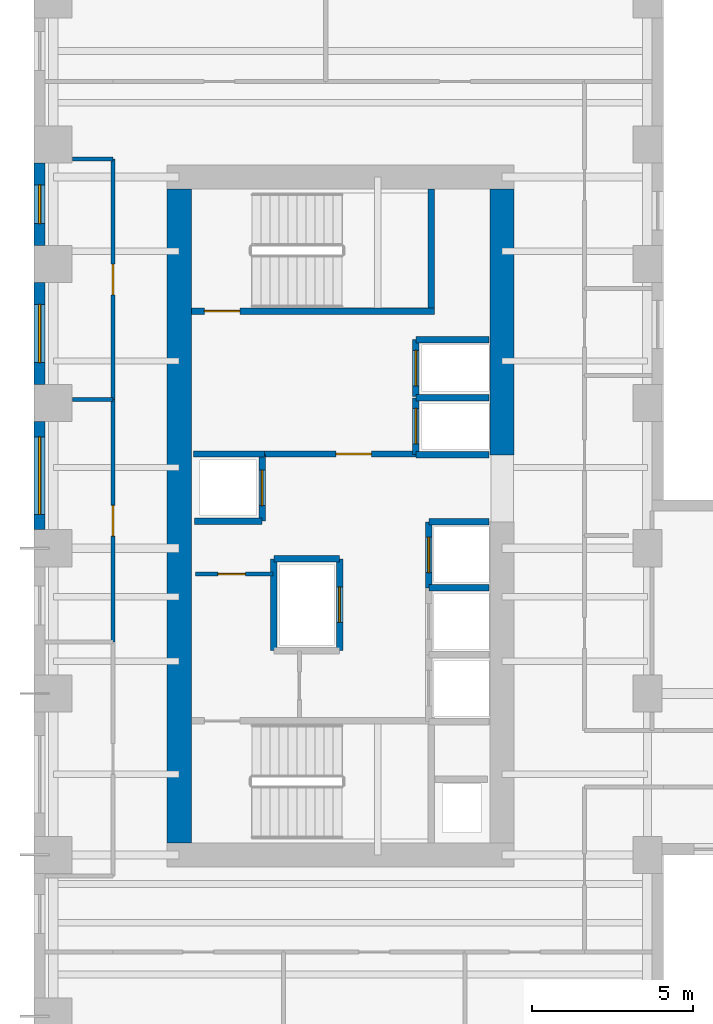
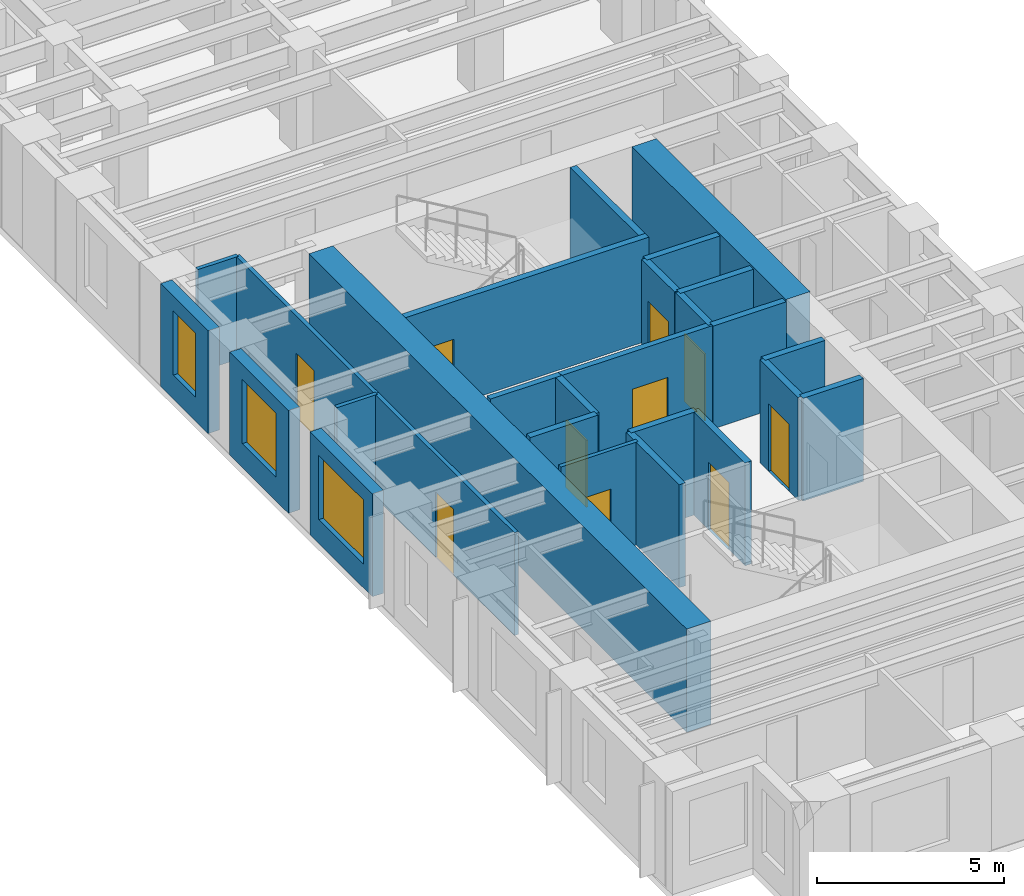
# One storey, part 5 of 12: 27 walls, 10 doors, 3 windows, 13 openings.
"""IFC4 building model written with IfcOpenShell, lengths in metres."""

from ifc_helpers import new_model, si_unit, direction, frame, frame_2d, origin, place, context, subcontext, project, spatial, rectangle, extrude, source, transform, mapped, material, layer, layer_set, type_object, element, fill, save


model = new_model("IFC4")

# Units and contexts
model_context = context("Model", 3, precision=1e-05, world=origin(), true_north=direction((0.0, 1.0)))
body_context = subcontext(model_context, "Body", "Model", "MODEL_VIEW")
ifc_project = project(units=[si_unit("LENGTHUNIT", "METRE"), si_unit("AREAUNIT", "SQUARE_METRE"), si_unit("VOLUMEUNIT", "CUBIC_METRE"), si_unit("PLANEANGLEUNIT", "RADIAN"), si_unit("MASSUNIT", "GRAM", prefix="KILO")], contexts=[model_context])

# Site, building, storey
site_placement = place(None, origin())
site = spatial("IfcSite", under=ifc_project, at=site_placement, CompositionType="ELEMENT")
building_placement = place(site_placement, origin())
building = spatial("IfcBuilding", under=site, at=building_placement, Name="Kharzan Plaza Tower", CompositionType="ELEMENT")
storey_placement = place(building_placement, frame((0.0, 0.0, 106.199951171875)))
storey = spatial("IfcBuildingStorey", under=building, at=storey_placement, Name="L28", CompositionType="ELEMENT", Elevation=106.199951171875)

# Wall, opening, window
ifc_material_1 = material(Name="Concrete C40/50", Category="concrete")
ifc_layer_1 = layer(ifc_material_1, 0.35009765625)
ifc_layer_set_1 = layer_set([ifc_layer_1], Name="Concrete C40/50")
wall_type_1 = type_object("IfcWallType", Name="WL-EXT-MAS-Z2", PredefinedType="SOLIDWALL", material=ifc_layer_set_1)
wall_1_placement = place(storey_placement, frame((0.175048828125, 29.927001953125, 0.0), z_axis=(0.0, 0.0, 1.0), x_axis=(0.0, -1.0, 0.0)))
wall_1 = element("IfcWall", 1, at=wall_1_placement, inside=storey, type_object=wall_type_1, Name="L28 Masonry-Frame Exterior Wall 20", PredefinedType="SOLIDWALL", context=body_context, shape_type="SweptSolid", body=[
    extrude(rectangle(XDim=2.553955078125, YDim=0.35009765625, at=frame_2d((1.27685546875, 0.0))), origin(), (0.0, 0.0, 1.0), 3.364990234375),
])
opening_1_placement = place(wall_1_placement, frame((0.677001953125, 0.0, 0.780029296875)))
opening_1 = element("IfcOpeningElement", 2, at=opening_1_placement, cuts=wall_1, Name="Opening W3", PredefinedType="OPENING", context=body_context, shape_type="SweptSolid", body=[
    extrude(rectangle(XDim=1.199951171875, YDim=2.10009765625, at=frame_2d((0.60009765625, 1.050048828125))), frame((0.0, 0.18505859375, 0.0), z_axis=(0.0, -1.0, 0.0), x_axis=(1.0, 0.0, 0.0)), (0.0, 0.0, 1.0), 0.3701171875),
])
ifc_material_2 = material(Name="Low-E Double Glazing", Category="glass")
window_type_1 = type_object("IfcWindowType", Name="WN-REC-1200x2100", PartitioningType="SINGLE_PANEL", PredefinedType="WINDOW", material=ifc_material_2)
shared_shape_1 = source(origin(), body_context, "Body", "SweptSolid", [
    extrude(rectangle(XDim=1.199951171875, YDim=2.10009765625, at=frame_2d((0.60009765625, 1.050048828125))), frame((0.0, 0.030029296875, 0.0), z_axis=(0.0, -1.0, 0.0), x_axis=(1.0, 0.0, 0.0)), (0.0, 0.0, 1.0), 0.06005859375),
])
window_1_placement = place(opening_1_placement, origin())
window_1 = element("IfcWindow", 3, at=window_1_placement, inside=storey, type_object=window_type_1, Name="L28 Recessed Solar-Control Window 20-1", OverallHeight=2.10009765625, OverallWidth=1.199951171875, PartitioningType="SINGLE_PANEL", PredefinedType="WINDOW", context=body_context, shape_type="MappedRepresentation", body=[
    mapped(shared_shape_1, transform((0.0, 0.0, 0.0), x_axis=(1.0, 0.0, 0.0), y_axis=(0.0, 1.0, 0.0), z_axis=(0.0, 0.0, 1.0))),
])
fill(opening_1, window_1)

wall_2_placement = place(storey_placement, frame((0.175048828125, 26.22705078125, 0.0), z_axis=(0.0, 0.0, 1.0), x_axis=(0.0, -1.0, 0.0)))
wall_2 = element("IfcWall", 4, at=wall_2_placement, inside=storey, type_object=wall_type_1, Name="L28 Masonry-Frame Exterior Wall 21", PredefinedType="SOLIDWALL", context=body_context, shape_type="SweptSolid", body=[
    extrude(rectangle(XDim=3.154052734375, YDim=0.35009765625, at=frame_2d((1.5771484375, 0.0))), origin(), (0.0, 0.0, 1.0), 3.364990234375),
])
opening_2_placement = place(wall_2_placement, frame((0.677001953125, 0.0, 0.780029296875)))
opening_2 = element("IfcOpeningElement", 5, at=opening_2_placement, cuts=wall_2, Name="Opening W1", PredefinedType="OPENING", context=body_context, shape_type="SweptSolid", body=[
    extrude(rectangle(XDim=1.800048828125, YDim=2.10009765625, at=frame_2d((0.89990234375, 1.050048828125))), frame((0.0, 0.18505859375, 0.0), z_axis=(0.0, -1.0, 0.0), x_axis=(1.0, 0.0, 0.0)), (0.0, 0.0, 1.0), 0.3701171875),
])
window_type_2 = type_object("IfcWindowType", Name="WN-REC-1800x2100", PartitioningType="SINGLE_PANEL", PredefinedType="WINDOW", material=ifc_material_2)
shared_shape_2 = source(origin(), body_context, "Body", "SweptSolid", [
    extrude(rectangle(XDim=1.800048828125, YDim=2.10009765625, at=frame_2d((0.89990234375, 1.050048828125))), frame((0.0, 0.030029296875, 0.0), z_axis=(0.0, -1.0, 0.0), x_axis=(1.0, 0.0, 0.0)), (0.0, 0.0, 1.0), 0.06005859375),
])
window_2_placement = place(opening_2_placement, origin())
window_2 = element("IfcWindow", 6, at=window_2_placement, inside=storey, type_object=window_type_2, Name="L28 Recessed Solar-Control Window 21-1", OverallHeight=2.10009765625, OverallWidth=1.800048828125, PartitioningType="SINGLE_PANEL", PredefinedType="WINDOW", context=body_context, shape_type="MappedRepresentation", body=[
    mapped(shared_shape_2, transform((0.0, 0.0, 0.0), x_axis=(1.0, 0.0, 0.0), y_axis=(0.0, 1.0, 0.0), z_axis=(0.0, 0.0, 1.0))),
])
fill(opening_2, window_2)

wall_3_placement = place(storey_placement, frame((0.175048828125, 21.927001953125, 0.0), z_axis=(0.0, 0.0, 1.0), x_axis=(0.0, -1.0, 0.0)))
wall_3 = element("IfcWall", 7, at=wall_3_placement, inside=storey, type_object=wall_type_1, Name="L28 Masonry-Frame Exterior Wall 22", PredefinedType="SOLIDWALL", context=body_context, shape_type="SweptSolid", body=[
    extrude(rectangle(XDim=3.35400390625, YDim=0.35009765625, at=frame_2d((1.677001953125, 0.0))), origin(), (0.0, 0.0, 1.0), 3.364990234375),
])
opening_3_placement = place(wall_3_placement, frame((0.47705078125, 0.0, 0.780029296875)))
opening_3 = element("IfcOpeningElement", 8, at=opening_3_placement, cuts=wall_3, Name="Opening W2", PredefinedType="OPENING", context=body_context, shape_type="SweptSolid", body=[
    extrude(rectangle(XDim=2.39990234375, YDim=2.10009765625, at=frame_2d((1.199951171875, 1.050048828125))), frame((0.0, 0.18505859375, 0.0), z_axis=(0.0, -1.0, 0.0), x_axis=(1.0, 0.0, 0.0)), (0.0, 0.0, 1.0), 0.3701171875),
])
window_type_3 = type_object("IfcWindowType", Name="WN-REC-2400x2100", PartitioningType="SINGLE_PANEL", PredefinedType="WINDOW", material=ifc_material_2)
shared_shape_3 = source(origin(), body_context, "Body", "SweptSolid", [
    extrude(rectangle(XDim=2.39990234375, YDim=2.10009765625, at=frame_2d((1.199951171875, 1.050048828125))), frame((0.0, 0.030029296875, 0.0), z_axis=(0.0, -1.0, 0.0), x_axis=(1.0, 0.0, 0.0)), (0.0, 0.0, 1.0), 0.06005859375),
])
window_3_placement = place(opening_3_placement, origin())
window_3 = element("IfcWindow", 9, at=window_3_placement, inside=storey, type_object=window_type_3, Name="L28 Wide Recessed Solar-Control Window 22-1", OverallHeight=2.10009765625, OverallWidth=2.39990234375, PartitioningType="SINGLE_PANEL", PredefinedType="WINDOW", context=body_context, shape_type="MappedRepresentation", body=[
    mapped(shared_shape_3, transform((0.0, 0.0, 0.0), x_axis=(1.0, 0.0, 0.0), y_axis=(0.0, 1.0, 0.0), z_axis=(0.0, 0.0, 1.0))),
])
fill(opening_3, window_3)

# Wall, opening, door
ifc_layer_2 = layer(ifc_material_1, 0.179931640625)
ifc_layer_set_2 = layer_set([ifc_layer_2], Name="Concrete C40/50")
wall_type_2 = type_object("IfcWallType", Name="WL-INT-FIRE-180", PredefinedType="PARTITIONING", material=ifc_layer_set_2)
wall_4_placement = place(storey_placement, frame((7.14990234375, 20.919921875, 0.0), z_axis=(0.0, 0.0, 1.0), x_axis=(1.0, 0.0, 0.0)))
wall_4 = element("IfcWall", 10, at=wall_4_placement, inside=storey, type_object=wall_type_2, Name="L28 Interior Partition CA-FF-S", PredefinedType="PARTITIONING", context=body_context, shape_type="SweptSolid", body=[
    extrude(rectangle(XDim=4.68017578125, YDim=0.179931640625, at=frame_2d((2.340087890625, 0.0))), origin(), (0.0, 0.0, 1.0), 3.364990234375),
])
opening_4_placement = place(wall_4_placement, frame((2.199951171875, 0.0, 0.0)))
opening_4 = element("IfcOpeningElement", 11, at=opening_4_placement, cuts=wall_4, Name="Opening FD1", PredefinedType="OPENING", context=body_context, shape_type="SweptSolid", body=[
    extrude(rectangle(XDim=1.10009765625, YDim=2.14990234375, at=frame_2d((0.550048828125, 1.074951171875))), frame((0.0, 0.099853515625, 0.0), z_axis=(0.0, -1.0, 0.0), x_axis=(1.0, 0.0, 0.0)), (0.0, 0.0, 1.0), 0.199951171875),
])
ifc_material_3 = material(Name="Fire-Rated Acoustic Vision-Panel Steel", Category="steel")
door_type_1 = type_object("IfcDoorType", Name="DR-FIRE-LOBBY", OperationType="NOTDEFINED", PredefinedType="DOOR", material=ifc_material_3)
shared_shape_4 = source(origin(), body_context, "Body", "SweptSolid", [
    extrude(rectangle(XDim=1.10009765625, YDim=2.14990234375, at=frame_2d((0.550048828125, 1.074951171875))), frame((0.0, 0.02490234375, 0.0), z_axis=(0.0, -1.0, 0.0), x_axis=(1.0, 0.0, 0.0)), (0.0, 0.0, 1.0), 0.050048828125),
])
door_1_placement = place(opening_4_placement, origin())
door_1 = element("IfcDoor", 12, at=door_1_placement, inside=storey, type_object=door_type_1, Name="L28 Firefighting Lobby Door", OperationType="SINGLE_SWING_LEFT", OverallHeight=2.14990234375, OverallWidth=1.10009765625, PredefinedType="DOOR", context=body_context, shape_type="MappedRepresentation", body=[
    mapped(shared_shape_4, transform((0.0, 0.0, 0.0), x_axis=(1.0, 0.0, 0.0), y_axis=(0.0, 1.0, 0.0), z_axis=(0.0, 0.0, 1.0))),
])
fill(opening_4, door_1)

ifc_material_4 = material(Name="Fire-Rated Gypsum Board Partition", Category="gypsum")
ifc_layer_3 = layer(ifc_material_4, 0.125)
ifc_layer_set_3 = layer_set([ifc_layer_3], Name="Fire-Rated Gypsum Board Partition")
wall_type_3 = type_object("IfcWallType", Name="WL-INT-PART-125", PredefinedType="PARTITIONING", material=ifc_layer_set_3)
wall_5_placement = place(storey_placement, frame((5.0, 17.199951171875, 0.0), z_axis=(0.0, 0.0, 1.0), x_axis=(1.0, 0.0, 0.0)))
wall_5 = element("IfcWall", 13, at=wall_5_placement, inside=storey, type_object=wall_type_3, Name="L28 Interior Partition CA-K1N2", PredefinedType="PARTITIONING", context=body_context, shape_type="SweptSolid", body=[
    extrude(rectangle(XDim=2.39990234375, YDim=0.125, at=frame_2d((1.199951171875, 0.0))), origin(), (0.0, 0.0, 1.0), 3.364990234375),
])
opening_5_placement = place(wall_5_placement, frame((0.699951171875, 0.0, 0.0)))
opening_5 = element("IfcOpeningElement", 14, at=opening_5_placement, cuts=wall_5, Name="Opening RD1", PredefinedType="OPENING", context=body_context, shape_type="SweptSolid", body=[
    extrude(rectangle(XDim=0.85009765625, YDim=2.10009765625, at=frame_2d((0.425048828125, 1.050048828125))), frame((0.0, 0.072509765625, 0.0), z_axis=(0.0, -1.0, 0.0), x_axis=(1.0, 0.0, 0.0)), (0.0, 0.0, 1.0), 0.14501953125),
])
ifc_material_5 = material(Name="Powder-Coated Fire-Rated Steel", Category="steel")
door_type_2 = type_object("IfcDoorType", Name="DR-RISER-900", OperationType="NOTDEFINED", PredefinedType="DOOR", material=ifc_material_5)
shared_shape_5 = source(origin(), body_context, "Body", "SweptSolid", [
    extrude(rectangle(XDim=0.85009765625, YDim=2.10009765625, at=frame_2d((0.425048828125, 1.050048828125))), frame((0.0, 0.02490234375, 0.0), z_axis=(0.0, -1.0, 0.0), x_axis=(1.0, 0.0, 0.0)), (0.0, 0.0, 1.0), 0.050048828125),
])
door_2_placement = place(opening_5_placement, origin())
door_2 = element("IfcDoor", 15, at=door_2_placement, inside=storey, type_object=door_type_2, Name="L28 Core Storage Room Door", OperationType="SINGLE_SWING_RIGHT", OverallHeight=2.10009765625, OverallWidth=0.85009765625, PredefinedType="DOOR", context=body_context, shape_type="MappedRepresentation", body=[
    mapped(shared_shape_5, transform((0.0, 0.0, 0.0), x_axis=(1.0, 0.0, 0.0), y_axis=(0.0, 1.0, 0.0), z_axis=(0.0, 0.0, 1.0))),
])
fill(opening_5, door_2)

wall_6_placement = place(storey_placement, frame((2.449951171875, 15.10009765625, 0.0), z_axis=(0.0, 0.0, 1.0), x_axis=(0.0, 1.0, 0.0)))
wall_6 = element("IfcWall", 16, at=wall_6_placement, inside=storey, type_object=wall_type_3, Name="L28 Interior Partition SH-WW-2", PredefinedType="PARTITIONING", context=body_context, shape_type="SweptSolid", body=[
    extrude(rectangle(XDim=7.5, YDim=0.125, at=frame_2d((3.75, 0.0))), origin(), (0.0, 0.0, 1.0), 3.364990234375),
])
opening_6_placement = place(wall_6_placement, frame((3.27490234375, 0.0, 0.0)))
opening_6 = element("IfcOpeningElement", 17, at=opening_6_placement, cuts=wall_6, Name="Opening OD1", PredefinedType="OPENING", context=body_context, shape_type="SweptSolid", body=[
    extrude(rectangle(XDim=0.949951171875, YDim=2.14990234375, at=frame_2d((0.47509765625, 1.074951171875))), frame((0.0, 0.072509765625, 0.0), z_axis=(0.0, -1.0, 0.0), x_axis=(1.0, 0.0, 0.0)), (0.0, 0.0, 1.0), 0.14501953125),
])
ifc_material_6 = material(Name="Acoustic Solid-Core Stained Oak", Category="timber")
door_type_3 = type_object("IfcDoorType", Name="DR-OFF-SINGLE", OperationType="NOTDEFINED", PredefinedType="DOOR", material=ifc_material_6)
shared_shape_6 = source(origin(), body_context, "Body", "SweptSolid", [
    extrude(rectangle(XDim=0.949951171875, YDim=2.14990234375, at=frame_2d((0.47509765625, 1.074951171875))), frame((0.0, 0.02490234375, 0.0), z_axis=(0.0, -1.0, 0.0), x_axis=(1.0, 0.0, 0.0)), (0.0, 0.0, 1.0), 0.050048828125),
])
door_3_placement = place(opening_6_placement, origin())
door_3 = element("IfcDoor", 18, at=door_3_placement, inside=storey, type_object=door_type_3, Name="L28 Client Briefing Room Door", OperationType="SINGLE_SWING_RIGHT", OverallHeight=2.14990234375, OverallWidth=0.949951171875, PredefinedType="DOOR", context=body_context, shape_type="MappedRepresentation", body=[
    mapped(shared_shape_6, transform((0.0, 0.0, 0.0), x_axis=(1.0, 0.0, 0.0), y_axis=(0.0, 1.0, 0.0), z_axis=(0.0, 0.0, 1.0))),
])
fill(opening_6, door_3)

wall_7_placement = place(storey_placement, frame((2.449951171875, 22.60009765625, 0.0), z_axis=(0.0, 0.0, 1.0), x_axis=(0.0, 1.0, 0.0)))
wall_7 = element("IfcWall", 19, at=wall_7_placement, inside=storey, type_object=wall_type_3, Name="L28 Interior Partition SH-WW-3", PredefinedType="PARTITIONING", context=body_context, shape_type="SweptSolid", body=[
    extrude(rectangle(XDim=7.449951171875, YDim=0.125, at=frame_2d((3.72509765625, 0.0))), origin(), (0.0, 0.0, 1.0), 3.364990234375),
])
opening_7_placement = place(wall_7_placement, frame((3.25, 0.0, 0.0)))
opening_7 = element("IfcOpeningElement", 20, at=opening_7_placement, cuts=wall_7, Name="Opening OD1", PredefinedType="OPENING", context=body_context, shape_type="SweptSolid", body=[
    extrude(rectangle(XDim=0.949951171875, YDim=2.14990234375, at=frame_2d((0.47509765625, 1.074951171875))), frame((0.0, 0.072509765625, 0.0), z_axis=(0.0, -1.0, 0.0), x_axis=(1.0, 0.0, 0.0)), (0.0, 0.0, 1.0), 0.14501953125),
])
door_4_placement = place(opening_7_placement, origin())
door_4 = element("IfcDoor", 21, at=door_4_placement, inside=storey, type_object=door_type_3, Name="L28 Executive Boardroom Door", OperationType="SINGLE_SWING_LEFT", OverallHeight=2.14990234375, OverallWidth=0.949951171875, PredefinedType="DOOR", context=body_context, shape_type="MappedRepresentation", body=[
    mapped(shared_shape_6, transform((0.0, 0.0, 0.0), x_axis=(1.0, 0.0, 0.0), y_axis=(0.0, 1.0, 0.0), z_axis=(0.0, 0.0, 1.0))),
])
fill(opening_7, door_4)

ifc_layer_4 = layer(ifc_material_1, 0.199951171875)
ifc_layer_set_4 = layer_set([ifc_layer_4], Name="Concrete C40/50")
wall_type_4 = type_object("IfcWallType", Name="WL-INT-SHAFT-200", PredefinedType="PARTITIONING", material=ifc_layer_set_4)
wall_8_placement = place(storey_placement, frame((11.830078125, 20.89990234375, 0.0), z_axis=(0.0, 0.0, 1.0), x_axis=(0.0, 1.0, 0.0)))
wall_8 = element("IfcWall", 22, at=wall_8_placement, inside=storey, type_object=wall_type_4, Name="L28 Interior Partition SHF-FFL-1-W", PredefinedType="PARTITIONING", context=body_context, shape_type="SweptSolid", body=[
    extrude(rectangle(XDim=1.760009765625, YDim=0.199951171875, at=frame_2d((0.8798828125, 0.0))), origin(), (0.0, 0.0, 1.0), 3.364990234375),
])
opening_8_placement = place(wall_8_placement, frame((0.330078125, 0.0, 0.0)))
opening_8 = element("IfcOpeningElement", 23, at=opening_8_placement, cuts=wall_8, Name="Opening LD", PredefinedType="OPENING", context=body_context, shape_type="SweptSolid", body=[
    extrude(rectangle(XDim=1.10009765625, YDim=2.199951171875, at=frame_2d((0.550048828125, 1.10009765625))), frame((0.0, 0.10986328125, 0.0), z_axis=(0.0, -1.0, 0.0), x_axis=(1.0, 0.0, 0.0)), (0.0, 0.0, 1.0), 0.219970703125),
])
ifc_material_7 = material(Name="Brushed Stainless Steel", Category="steel")
door_type_4 = type_object("IfcDoorType", Name="DR-LIFT-SLIDE", OperationType="SLIDING_TO_LEFT", PredefinedType="DOOR", material=ifc_material_7)
shared_shape_7 = source(origin(), body_context, "Body", "SweptSolid", [
    extrude(rectangle(XDim=1.10009765625, YDim=2.199951171875, at=frame_2d((0.550048828125, 1.10009765625))), frame((0.0, 0.02490234375, 0.0), z_axis=(0.0, -1.0, 0.0), x_axis=(1.0, 0.0, 0.0)), (0.0, 0.0, 1.0), 0.050048828125),
])
door_5_placement = place(opening_8_placement, origin())
door_5 = element("IfcDoor", 24, at=door_5_placement, inside=storey, type_object=door_type_4, Name="L28 Firefighting Lift FFL-1 Sliding Landing Door", OperationType="SLIDING_TO_LEFT", OverallHeight=2.199951171875, OverallWidth=1.10009765625, PredefinedType="DOOR", context=body_context, shape_type="MappedRepresentation", body=[
    mapped(shared_shape_7, transform((0.0, 0.0, 0.0), x_axis=(1.0, 0.0, 0.0), y_axis=(0.0, 1.0, 0.0), z_axis=(0.0, 0.0, 1.0))),
])
fill(opening_8, door_5)

wall_9_placement = place(storey_placement, frame((11.830078125, 22.699951171875, 0.0), z_axis=(0.0, 0.0, 1.0), x_axis=(0.0, 1.0, 0.0)))
wall_9 = element("IfcWall", 25, at=wall_9_placement, inside=storey, type_object=wall_type_4, Name="L28 Interior Partition SHF-FFL-2-W", PredefinedType="PARTITIONING", context=body_context, shape_type="SweptSolid", body=[
    extrude(rectangle(XDim=1.760009765625, YDim=0.199951171875, at=frame_2d((0.8798828125, 0.0))), origin(), (0.0, 0.0, 1.0), 3.364990234375),
])
opening_9_placement = place(wall_9_placement, frame((0.330078125, 0.0, 0.0)))
opening_9 = element("IfcOpeningElement", 26, at=opening_9_placement, cuts=wall_9, Name="Opening LD", PredefinedType="OPENING", context=body_context, shape_type="SweptSolid", body=[
    extrude(rectangle(XDim=1.10009765625, YDim=2.199951171875, at=frame_2d((0.550048828125, 1.10009765625))), frame((0.0, 0.10986328125, 0.0), z_axis=(0.0, -1.0, 0.0), x_axis=(1.0, 0.0, 0.0)), (0.0, 0.0, 1.0), 0.219970703125),
])
door_6_placement = place(opening_9_placement, origin())
door_6 = element("IfcDoor", 27, at=door_6_placement, inside=storey, type_object=door_type_4, Name="L28 Firefighting Lift FFL-2 Sliding Landing Door", OperationType="SLIDING_TO_LEFT", OverallHeight=2.199951171875, OverallWidth=1.10009765625, PredefinedType="DOOR", context=body_context, shape_type="MappedRepresentation", body=[
    mapped(shared_shape_7, transform((0.0, 0.0, 0.0), x_axis=(1.0, 0.0, 0.0), y_axis=(0.0, 1.0, 0.0), z_axis=(0.0, 0.0, 1.0))),
])
fill(opening_9, door_6)

wall_10_placement = place(storey_placement, frame((12.22998046875, 16.77001953125, 0.0), z_axis=(0.0, 0.0, 1.0), x_axis=(0.0, 1.0, 0.0)))
wall_10 = element("IfcWall", 28, at=wall_10_placement, inside=storey, type_object=wall_type_4, Name="L28 Interior Partition SHF-PL-H3-W", PredefinedType="PARTITIONING", context=body_context, shape_type="SweptSolid", body=[
    extrude(rectangle(XDim=2.050048828125, YDim=0.199951171875, at=frame_2d((1.02490234375, 0.0))), origin(), (0.0, 0.0, 1.0), 3.364990234375),
])
opening_10_placement = place(wall_10_placement, frame((0.47509765625, 0.0, 0.0)))
opening_10 = element("IfcOpeningElement", 29, at=opening_10_placement, cuts=wall_10, Name="Opening LD", PredefinedType="OPENING", context=body_context, shape_type="SweptSolid", body=[
    extrude(rectangle(XDim=1.10009765625, YDim=2.199951171875, at=frame_2d((0.550048828125, 1.10009765625))), frame((0.0, 0.10986328125, 0.0), z_axis=(0.0, -1.0, 0.0), x_axis=(1.0, 0.0, 0.0)), (0.0, 0.0, 1.0), 0.219970703125),
])
door_7_placement = place(opening_10_placement, origin())
door_7 = element("IfcDoor", 30, at=door_7_placement, inside=storey, type_object=door_type_4, Name="L28 High-Rise Passenger Lift PL-H3 Sliding Landing Door", OperationType="SLIDING_TO_LEFT", OverallHeight=2.199951171875, OverallWidth=1.10009765625, PredefinedType="DOOR", context=body_context, shape_type="MappedRepresentation", body=[
    mapped(shared_shape_7, transform((0.0, 0.0, 0.0), x_axis=(1.0, 0.0, 0.0), y_axis=(0.0, 1.0, 0.0), z_axis=(0.0, 0.0, 1.0))),
])
fill(opening_10, door_7)

wall_11_placement = place(storey_placement, frame((7.070068359375, 18.840087890625, 0.0), z_axis=(0.0, 0.0, 1.0), x_axis=(0.0, 1.0, 0.0)))
wall_11 = element("IfcWall", 31, at=wall_11_placement, inside=storey, type_object=wall_type_4, Name="L28 Interior Partition SHF-PL-H4-E", PredefinedType="PARTITIONING", context=body_context, shape_type="SweptSolid", body=[
    extrude(rectangle(XDim=2.059814453125, YDim=0.199951171875, at=frame_2d((1.02978515625, 0.0))), origin(), (0.0, 0.0, 1.0), 3.364990234375),
])
opening_11_placement = place(wall_11_placement, frame((0.47998046875, 0.0, 0.0)))
opening_11 = element("IfcOpeningElement", 32, at=opening_11_placement, cuts=wall_11, Name="Opening LD", PredefinedType="OPENING", context=body_context, shape_type="SweptSolid", body=[
    extrude(rectangle(XDim=1.10009765625, YDim=2.199951171875, at=frame_2d((0.550048828125, 1.10009765625))), frame((0.0, 0.10986328125, 0.0), z_axis=(0.0, -1.0, 0.0), x_axis=(1.0, 0.0, 0.0)), (0.0, 0.0, 1.0), 0.219970703125),
])
door_8_placement = place(opening_11_placement, origin())
door_8 = element("IfcDoor", 33, at=door_8_placement, inside=storey, type_object=door_type_4, Name="L28 High-Rise Passenger Lift PL-H4 Sliding Landing Door", OperationType="SLIDING_TO_LEFT", OverallHeight=2.199951171875, OverallWidth=1.10009765625, PredefinedType="DOOR", context=body_context, shape_type="MappedRepresentation", body=[
    mapped(shared_shape_7, transform((0.0, 0.0, 0.0), x_axis=(1.0, 0.0, 0.0), y_axis=(0.0, 1.0, 0.0), z_axis=(0.0, 0.0, 1.0))),
])
fill(opening_11, door_8)

wall_12_placement = place(storey_placement, frame((9.469970703125, 14.830078125, 0.0), z_axis=(0.0, 0.0, 1.0), x_axis=(0.0, 1.0, 0.0)))
wall_12 = element("IfcWall", 34, at=wall_12_placement, inside=storey, type_object=wall_type_4, Name="L28 Interior Partition SHF-SVL-1-E", PredefinedType="PARTITIONING", context=body_context, shape_type="SweptSolid", body=[
    extrude(rectangle(XDim=2.83984375, YDim=0.199951171875, at=frame_2d((1.419921875, 0.0))), origin(), (0.0, 0.0, 1.0), 3.364990234375),
])
opening_12_placement = place(wall_12_placement, frame((0.8701171875, 0.0, 0.0)))
opening_12 = element("IfcOpeningElement", 35, at=opening_12_placement, cuts=wall_12, Name="Opening LD", PredefinedType="OPENING", context=body_context, shape_type="SweptSolid", body=[
    extrude(rectangle(XDim=1.10009765625, YDim=2.199951171875, at=frame_2d((0.550048828125, 1.10009765625))), frame((0.0, 0.10986328125, 0.0), z_axis=(0.0, -1.0, 0.0), x_axis=(1.0, 0.0, 0.0)), (0.0, 0.0, 1.0), 0.219970703125),
])
door_9_placement = place(opening_12_placement, origin())
door_9 = element("IfcDoor", 36, at=door_9_placement, inside=storey, type_object=door_type_4, Name="L28 Service Lift SVL-1 Sliding Landing Door", OperationType="SLIDING_TO_LEFT", OverallHeight=2.199951171875, OverallWidth=1.10009765625, PredefinedType="DOOR", context=body_context, shape_type="MappedRepresentation", body=[
    mapped(shared_shape_7, transform((0.0, 0.0, 0.0), x_axis=(1.0, 0.0, 0.0), y_axis=(0.0, 1.0, 0.0), z_axis=(0.0, 0.0, 1.0))),
])
fill(opening_12, door_9)

ifc_material_8 = material(Name="Concrete C50/60", Category="concrete")
ifc_layer_5 = layer(ifc_material_8, 0.199951171875)
ifc_layer_set_5 = layer_set([ifc_layer_5], Name="Concrete C50/60")
wall_type_5 = type_object("IfcWallType", Name="WL-SHAFT-RC200", PredefinedType="SHEAR", material=ifc_layer_set_5)
wall_13_placement = place(storey_placement, frame((4.876953125, 25.344970703125, 0.0), z_axis=(0.0, 0.0, 1.0), x_axis=(1.0, 0.0, 0.0)))
wall_13 = element("IfcWall", 37, at=wall_13_placement, inside=storey, type_object=wall_type_5, Name="L28 Stair ST-2 South RC Shaft Wall", PredefinedType="SHEAR", context=body_context, shape_type="SweptSolid", body=[
    extrude(rectangle(XDim=7.528076171875, YDim=0.199951171875, at=frame_2d((3.76416015625, 0.0))), origin(), (0.0, 0.0, 1.0), 3.380126953125),
])
opening_13_placement = place(wall_13_placement, frame((0.39990234375, 0.0, 0.0)))
opening_13 = element("IfcOpeningElement", 38, at=opening_13_placement, cuts=wall_13, Name="Opening SD1", PredefinedType="OPENING", context=body_context, shape_type="SweptSolid", body=[
    extrude(rectangle(XDim=1.10009765625, YDim=2.14990234375, at=frame_2d((0.550048828125, 1.074951171875))), frame((0.0, 0.10986328125, 0.0), z_axis=(0.0, -1.0, 0.0), x_axis=(1.0, 0.0, 0.0)), (0.0, 0.0, 1.0), 0.219970703125),
])
ifc_material_9 = material(Name="Fire-Rated Hollow Galvanized Steel", Category="steel")
door_type_5 = type_object("IfcDoorType", Name="DR-STAIR-FD120", OperationType="NOTDEFINED", PredefinedType="DOOR", material=ifc_material_9)
shared_shape_8 = source(origin(), body_context, "Body", "SweptSolid", [
    extrude(rectangle(XDim=1.10009765625, YDim=2.14990234375, at=frame_2d((0.550048828125, 1.074951171875))), frame((0.0, 0.02490234375, 0.0), z_axis=(0.0, -1.0, 0.0), x_axis=(1.0, 0.0, 0.0)), (0.0, 0.0, 1.0), 0.050048828125),
])
door_10_placement = place(opening_13_placement, origin())
door_10 = element("IfcDoor", 39, at=door_10_placement, inside=storey, type_object=door_type_5, Name="L28 Stair ST-2 Fire Exit Door", OperationType="SINGLE_SWING_RIGHT", OverallHeight=2.14990234375, OverallWidth=1.10009765625, PredefinedType="DOOR", context=body_context, shape_type="MappedRepresentation", body=[
    mapped(shared_shape_8, transform((0.0, 0.0, 0.0), x_axis=(1.0, 0.0, 0.0), y_axis=(0.0, 1.0, 0.0), z_axis=(0.0, 0.0, 1.0))),
])
fill(opening_13, door_10)

# Walls
shared_shape_9 = source(origin(), body_context, "Body", "SweptSolid", [
    extrude(rectangle(XDim=2.090087890625, YDim=0.199951171875, at=frame_2d((1.044921875, 0.0))), origin(), (0.0, 0.0, 1.0), 3.364990234375),
])
wall_14_placement = place(storey_placement, frame((4.97998046875, 18.840087890625, 0.0), z_axis=(0.0, 0.0, 1.0), x_axis=(1.0, 0.0, 0.0)))
element("IfcWall", 40, at=wall_14_placement, inside=storey, type_object=wall_type_4, Name="L28 Interior Partition SHF-PL-H4-S", PredefinedType="PARTITIONING", context=body_context, shape_type="MappedRepresentation", body=[
    mapped(shared_shape_9, transform((0.0, 0.0, 0.0), x_axis=(1.0, 0.0, 0.0), y_axis=(0.0, 1.0, 0.0), z_axis=(0.0, 0.0, 1.0))),
])
shared_shape_10 = source(origin(), body_context, "Body", "SweptSolid", [
    extrude(rectangle(XDim=2.0400390625, YDim=0.199951171875, at=frame_2d((1.02001953125, 0.0))), origin(), (0.0, 0.0, 1.0), 3.364990234375),
])
wall_15_placement = place(storey_placement, frame((7.429931640625, 17.669921875, 0.0), z_axis=(0.0, 0.0, 1.0), x_axis=(1.0, 0.0, 0.0)))
element("IfcWall", 41, at=wall_15_placement, inside=storey, type_object=wall_type_4, Name="L28 Interior Partition SHF-SVL-1-N", PredefinedType="PARTITIONING", context=body_context, shape_type="MappedRepresentation", body=[
    mapped(shared_shape_10, transform((0.0, 0.0, 0.0), x_axis=(1.0, 0.0, 0.0), y_axis=(0.0, 1.0, 0.0), z_axis=(0.0, 0.0, 1.0))),
])
shared_shape_11 = source(origin(), body_context, "Body", "SweptSolid", [
    extrude(rectangle(XDim=2.83984375, YDim=0.199951171875, at=frame_2d((1.419921875, 0.0))), origin(), (0.0, 0.0, 1.0), 3.364990234375),
])
wall_16_placement = place(storey_placement, frame((7.429931640625, 14.830078125, 0.0), z_axis=(0.0, 0.0, 1.0), x_axis=(0.0, 1.0, 0.0)))
element("IfcWall", 42, at=wall_16_placement, inside=storey, type_object=wall_type_4, Name="L28 Interior Partition SHF-SVL-1-W", PredefinedType="PARTITIONING", context=body_context, shape_type="MappedRepresentation", body=[
    mapped(shared_shape_11, transform((0.0, 0.0, 0.0), x_axis=(1.0, 0.0, 0.0), y_axis=(0.0, 1.0, 0.0), z_axis=(0.0, 0.0, 1.0))),
])
ifc_material_10 = material(Name="Concrete C60/75", Category="concrete")
ifc_layer_6 = layer(ifc_material_10, 0.75)
ifc_layer_set_6 = layer_set([ifc_layer_6], Name="Concrete C60/75")
wall_type_6 = type_object("IfcWallType", Name="WL-CORE-750", PredefinedType="SHEAR", material=ifc_layer_set_6)
shared_shape_12 = source(origin(), body_context, "Body", "SweptSolid", [
    extrude(rectangle(XDim=8.2451171875, YDim=0.75, at=frame_2d((4.12255859375, 0.0))), origin(), (0.0, 0.0, 1.0), 3.380126953125),
])
wall_17_placement = place(storey_placement, frame((14.5, 20.8798828125, 0.0), z_axis=(0.0, 0.0, 1.0), x_axis=(0.0, 1.0, 0.0)))
element("IfcWall", 43, at=wall_17_placement, inside=storey, type_object=wall_type_6, Name="L28 CORE-A east shear pier 2", PredefinedType="SHEAR", context=body_context, shape_type="MappedRepresentation", body=[
    mapped(shared_shape_12, transform((0.0, 0.0, 0.0), x_axis=(1.0, 0.0, 0.0), y_axis=(0.0, 1.0, 0.0), z_axis=(0.0, 0.0, 1.0))),
])
shared_shape_13 = source(origin(), body_context, "Body", "SweptSolid", [
    extrude(rectangle(XDim=20.25, YDim=0.75, at=frame_2d((10.125, 0.0))), origin(), (0.0, 0.0, 1.0), 3.380126953125),
])
wall_18_placement = place(storey_placement, frame((4.5, 8.875, 0.0), z_axis=(0.0, 0.0, 1.0), x_axis=(0.0, 1.0, 0.0)))
element("IfcWall", 44, at=wall_18_placement, inside=storey, type_object=wall_type_6, Name="L28 CORE-A west RC shear wall", PredefinedType="SHEAR", context=body_context, shape_type="MappedRepresentation", body=[
    mapped(shared_shape_13, transform((0.0, 0.0, 0.0), x_axis=(1.0, 0.0, 0.0), y_axis=(0.0, 1.0, 0.0), z_axis=(0.0, 0.0, 1.0))),
])
shared_shape_14 = source(origin(), body_context, "Body", "SweptSolid", [
    extrude(rectangle(XDim=2.199951171875, YDim=0.179931640625, at=frame_2d((1.10009765625, 0.0))), origin(), (0.0, 0.0, 1.0), 3.364990234375),
])
wall_19_placement = place(storey_placement, frame((4.949951171875, 20.919921875, 0.0), z_axis=(0.0, 0.0, 1.0), x_axis=(1.0, 0.0, 0.0)))
element("IfcWall", 45, at=wall_19_placement, inside=storey, type_object=wall_type_2, Name="L28 Interior Partition CA-FF-SW", PredefinedType="PARTITIONING", context=body_context, shape_type="MappedRepresentation", body=[
    mapped(shared_shape_14, transform((0.0, 0.0, 0.0), x_axis=(1.0, 0.0, 0.0), y_axis=(0.0, 1.0, 0.0), z_axis=(0.0, 0.0, 1.0))),
])
shared_shape_15 = source(origin(), body_context, "Body", "SweptSolid", [
    extrude(rectangle(XDim=1.260009765625, YDim=0.125, at=frame_2d((0.6298828125, 0.0))), origin(), (0.0, 0.0, 1.0), 3.364990234375),
])
for number, where, z_axis, x_axis, name in (
    (46, (1.18994140625, 30.050048828125, 0.0), (0.0, 0.0, 1.0), (1.0, 0.0, 0.0), "L28 Interior Partition SH-RWN0"),
    (47, (1.18994140625, 22.60009765625, 0.0), (0.0, 0.0, 1.0), (1.0, 0.0, 0.0), "L28 Interior Partition SH-WH-2"),
):
    element("IfcWall", number, at=place(storey_placement, frame(where, z_axis=z_axis, x_axis=x_axis)), inside=storey, type_object=wall_type_3, Name=name, PredefinedType="PARTITIONING", context=body_context, shape_type="MappedRepresentation", body=[
        mapped(shared_shape_15, transform((0.0, 0.0, 0.0), x_axis=(1.0, 0.0, 0.0), y_axis=(0.0, 1.0, 0.0), z_axis=(0.0, 0.0, 1.0))),
    ])
shared_shape_16 = source(origin(), body_context, "Body", "SweptSolid", [
    extrude(rectangle(XDim=2.264892578125, YDim=0.199951171875, at=frame_2d((1.13232421875, 0.0))), origin(), (0.0, 0.0, 1.0), 3.364990234375),
])
for number, where, z_axis, x_axis, name in (
    (48, (11.830078125, 22.659912109375, 0.0), (0.0, 0.0, 1.0), (1.0, 0.0, 0.0), "L28 Interior Partition SHF-FFL-1-N"),
    (49, (11.830078125, 20.89990234375, 0.0), (0.0, 0.0, 1.0), (1.0, 0.0, 0.0), "L28 Interior Partition SHF-FFL-1-S"),
    (50, (11.830078125, 24.4599609375, 0.0), (0.0, 0.0, 1.0), (1.0, 0.0, 0.0), "L28 Interior Partition SHF-FFL-2-N"),
):
    element("IfcWall", number, at=place(storey_placement, frame(where, z_axis=z_axis, x_axis=x_axis)), inside=storey, type_object=wall_type_4, Name=name, PredefinedType="PARTITIONING", context=body_context, shape_type="MappedRepresentation", body=[
        mapped(shared_shape_16, transform((0.0, 0.0, 0.0), x_axis=(1.0, 0.0, 0.0), y_axis=(0.0, 1.0, 0.0), z_axis=(0.0, 0.0, 1.0))),
    ])
shared_shape_17 = source(origin(), body_context, "Body", "SweptSolid", [
    extrude(rectangle(XDim=1.864990234375, YDim=0.199951171875, at=frame_2d((0.9326171875, 0.0))), origin(), (0.0, 0.0, 1.0), 3.364990234375),
])
for number, where, z_axis, x_axis, name in (
    (51, (12.22998046875, 16.77001953125, 0.0), (0.0, 0.0, 1.0), (1.0, 0.0, 0.0), "L28 Interior Partition SHF-PL-H2-N"),
    (52, (12.22998046875, 18.820068359375, 0.0), (0.0, 0.0, 1.0), (1.0, 0.0, 0.0), "L28 Interior Partition SHF-PL-H3-N"),
):
    element("IfcWall", number, at=place(storey_placement, frame(where, z_axis=z_axis, x_axis=x_axis)), inside=storey, type_object=wall_type_4, Name=name, PredefinedType="PARTITIONING", context=body_context, shape_type="MappedRepresentation", body=[
        mapped(shared_shape_17, transform((0.0, 0.0, 0.0), x_axis=(1.0, 0.0, 0.0), y_axis=(0.0, 1.0, 0.0), z_axis=(0.0, 0.0, 1.0))),
    ])
shared_shape_18 = source(origin(), body_context, "Body", "SweptSolid", [
    extrude(rectangle(XDim=3.677978515625, YDim=0.199951171875, at=frame_2d((1.8388671875, 0.0))), origin(), (0.0, 0.0, 1.0), 3.380126953125),
])
wall_20_placement = place(storey_placement, frame((12.304931640625, 25.445068359375, 0.0), z_axis=(0.0, 0.0, 1.0), x_axis=(0.0, 1.0, 0.0)))
element("IfcWall", 53, at=wall_20_placement, inside=storey, type_object=wall_type_5, Name="L28 Stair ST-2 East RC Shaft Wall", PredefinedType="SHEAR", context=body_context, shape_type="MappedRepresentation", body=[
    mapped(shared_shape_18, transform((0.0, 0.0, 0.0), x_axis=(1.0, 0.0, 0.0), y_axis=(0.0, 1.0, 0.0), z_axis=(0.0, 0.0, 1.0))),
])

save(model, "model.ifc")
